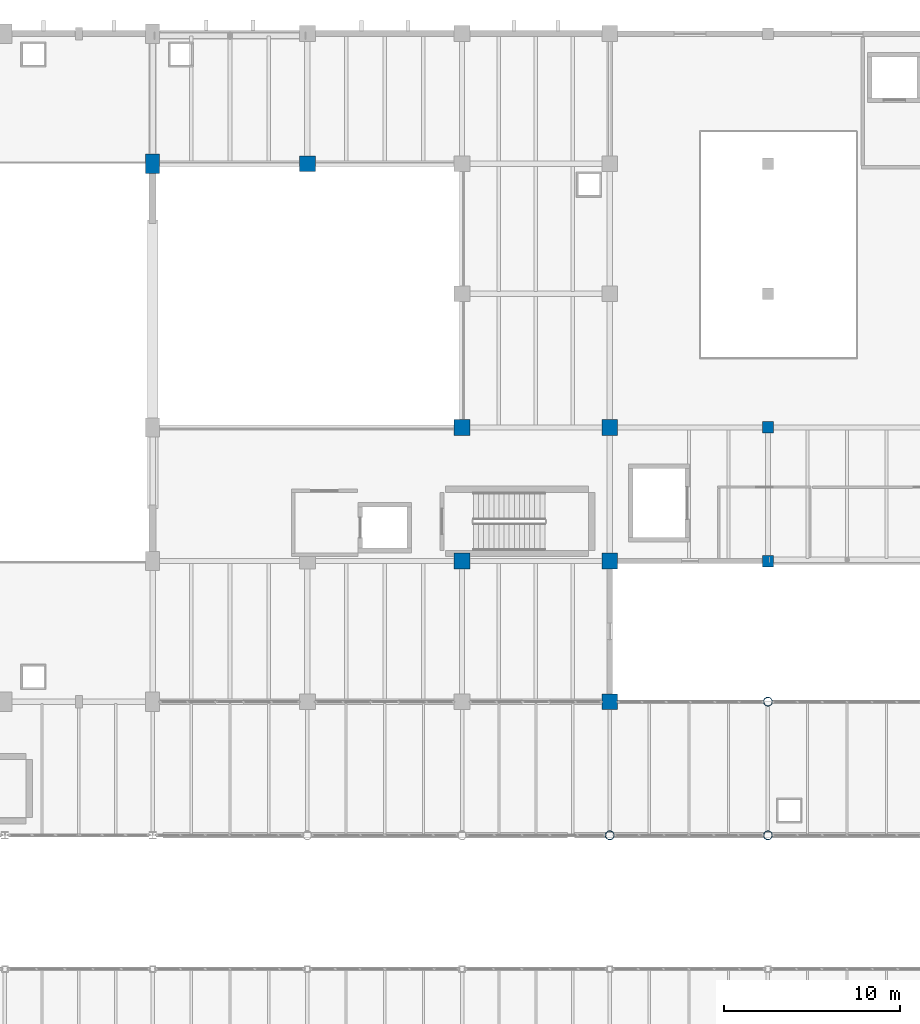
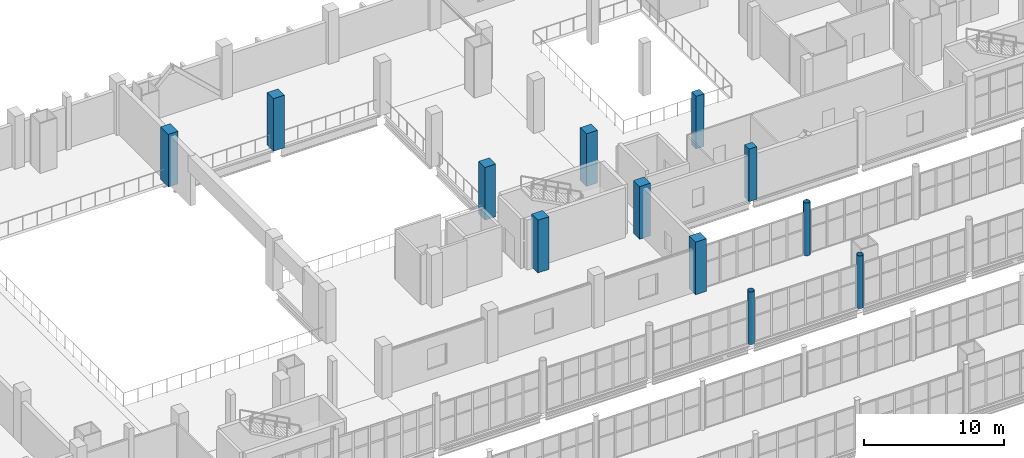
# One storey, part 10 of 172: 12 columns.
"""IFC4 building model written with IfcOpenShell, lengths in metres."""

from ifc_helpers import new_model, si_unit, direction, frame, origin, origin_2d, place, context, subcontext, project, spatial, rectangle, hollow_circle, extrude, material, material_profile, profile_set, type_object, element, save


model = new_model("IFC4")

# Units and contexts
model_context = context("Model", 3, precision=1e-05, world=origin(), true_north=direction((0.0, 1.0)))
body_context = subcontext(model_context, "Body", "Model", "MODEL_VIEW")
ifc_project = project(units=[si_unit("LENGTHUNIT", "METRE"), si_unit("AREAUNIT", "SQUARE_METRE"), si_unit("VOLUMEUNIT", "CUBIC_METRE"), si_unit("PLANEANGLEUNIT", "RADIAN"), si_unit("MASSUNIT", "GRAM", prefix="KILO")], contexts=[model_context])

# Site, building, storey
site_placement = place(None, origin())
site = spatial("IfcSite", under=ifc_project, at=site_placement, CompositionType="ELEMENT")
building_placement = place(site_placement, origin())
building = spatial("IfcBuilding", under=site, at=building_placement, Name="Shengluoqiao Park Theatre", CompositionType="ELEMENT")
storey_placement = place(building_placement, frame((0.0, 0.0, 5.39990234375)))
storey = spatial("IfcBuildingStorey", under=building, at=storey_placement, Name="L01", CompositionType="ELEMENT", Elevation=5.39990234375)

# Columns
ifc_material_1 = material(Name="Steel Q390", Category="steel")
ifc_material_profile_1 = material_profile(ifc_material_1, hollow_circle(Radius=0.25390625, WallThickness=0.02001953125, at=origin_2d()), Name="CHS 508x20")
ifc_profile_set_1 = profile_set([ifc_material_profile_1], Name="Steel Q390")
column_type_1 = type_object("IfcColumnType", Name="STR-COL-C-CHS508", PredefinedType="COLUMN", material=ifc_profile_set_1)
for number, where, z_axis, x_axis, name in (
    (1, (112.39990234375, 68.39990234375, 0.0), (0.0, 0.0, 1.0), (1.0, 0.0, 0.0), "L01 Column 0542"),
    (2, (121.39990234375, 68.39990234375, 0.0), (0.0, 0.0, 1.0), (1.0, 0.0, 0.0), "L01 Column 0588"),
    (3, (121.39990234375, 76.0, 0.0), (0.0, 0.0, 1.0), (1.0, 0.0, 0.0), "L01 Column 0591"),
):
    element("IfcColumn", number, at=place(storey_placement, frame(where, z_axis=z_axis, x_axis=x_axis)), inside=storey, type_object=column_type_1, Name=name, PredefinedType="COLUMN", context=body_context, shape_type="SweptSolid", body=[
        extrude(hollow_circle(Radius=0.25390625, WallThickness=0.02001953125, at=origin_2d()), origin(), (0.0, 0.0, 1.0), 4.60009765625),
    ])
ifc_material_2 = material(Name="Concrete C40", Category="concrete")
ifc_material_profile_2 = material_profile(ifc_material_2, rectangle(XDim=0.64990234375, YDim=0.64990234375, at=origin_2d()), Name="RC 650x650")
ifc_profile_set_2 = profile_set([ifc_material_profile_2], Name="Concrete C40")
column_type_2 = type_object("IfcColumnType", Name="STR-COL-C-RC650", PredefinedType="COLUMN", material=ifc_profile_set_2)
for number, where, z_axis, x_axis, name in (
    (4, (121.39990234375, 84.0, 0.0), (0.0, 0.0, 1.0), (1.0, 0.0, 0.0), "L01 Column 0595"),
    (5, (121.39990234375, 91.60009765625, 0.0), (0.0, 0.0, 1.0), (1.0, 0.0, 0.0), "L01 Column 0602"),
):
    element("IfcColumn", number, at=place(storey_placement, frame(where, z_axis=z_axis, x_axis=x_axis)), inside=storey, type_object=column_type_2, Name=name, PredefinedType="COLUMN", context=body_context, shape_type="SweptSolid", body=[
        extrude(rectangle(XDim=0.64990234375, YDim=0.64990234375, at=origin_2d()), origin(), (0.0, 0.0, 1.0), 4.60009765625),
    ])
ifc_material_3 = material(Name="Concrete C50", Category="concrete")
ifc_material_profile_3 = material_profile(ifc_material_3, rectangle(XDim=0.800048828125, YDim=1.10009765625, at=origin_2d()), Name="RC 800x1100")
ifc_profile_set_3 = profile_set([ifc_material_profile_3], Name="Concrete C50")
column_type_3 = type_object("IfcColumnType", Name="STR-COL-C-RC8011", PredefinedType="COLUMN", material=ifc_profile_set_3)
column_placement = place(storey_placement, frame((86.39990234375, 106.60009765625, 0.0), z_axis=(0.0, 0.0, 1.0), x_axis=(1.0, 0.0, 0.0)))
element("IfcColumn", 6, at=column_placement, inside=storey, type_object=column_type_3, Name="L01 Column 0445", PredefinedType="COLUMN", context=body_context, shape_type="SweptSolid", body=[
    extrude(rectangle(XDim=0.800048828125, YDim=1.10009765625, at=origin_2d()), origin(), (0.0, 0.0, 1.0), 4.60009765625),
])
ifc_material_profile_4 = material_profile(ifc_material_3, rectangle(XDim=0.89990234375, YDim=0.89990234375, at=origin_2d()), Name="RC 900x900")
ifc_profile_set_4 = profile_set([ifc_material_profile_4], Name="Concrete C50")
column_type_4 = type_object("IfcColumnType", Name="STR-COL-C-RC900", PredefinedType="COLUMN", material=ifc_profile_set_4)
for number, where, z_axis, x_axis, name in (
    (7, (95.199951171875, 106.60009765625, 0.0), (0.0, 0.0, 1.0), (1.0, 0.0, 0.0), "L01 Column 0479"),
    (8, (104.0, 84.0, 0.0), (0.0, 0.0, 1.0), (1.0, 0.0, 0.0), "L01 Column 0504"),
    (9, (104.0, 91.60009765625, 0.0), (0.0, 0.0, 1.0), (1.0, 0.0, 0.0), "L01 Column 0511"),
    (10, (112.39990234375, 76.0, 0.0), (0.0, 0.0, 1.0), (1.0, 0.0, 0.0), "L01 Column 0546"),
    (11, (112.39990234375, 84.0, 0.0), (0.0, 0.0, 1.0), (1.0, 0.0, 0.0), "L01 Column 0550"),
    (12, (112.39990234375, 91.60009765625, 0.0), (0.0, 0.0, 1.0), (1.0, 0.0, 0.0), "L01 Column 0557"),
):
    element("IfcColumn", number, at=place(storey_placement, frame(where, z_axis=z_axis, x_axis=x_axis)), inside=storey, type_object=column_type_4, Name=name, PredefinedType="COLUMN", context=body_context, shape_type="SweptSolid", body=[
        extrude(rectangle(XDim=0.89990234375, YDim=0.89990234375, at=origin_2d()), origin(), (0.0, 0.0, 1.0), 4.60009765625),
    ])

save(model, "model.ifc")
